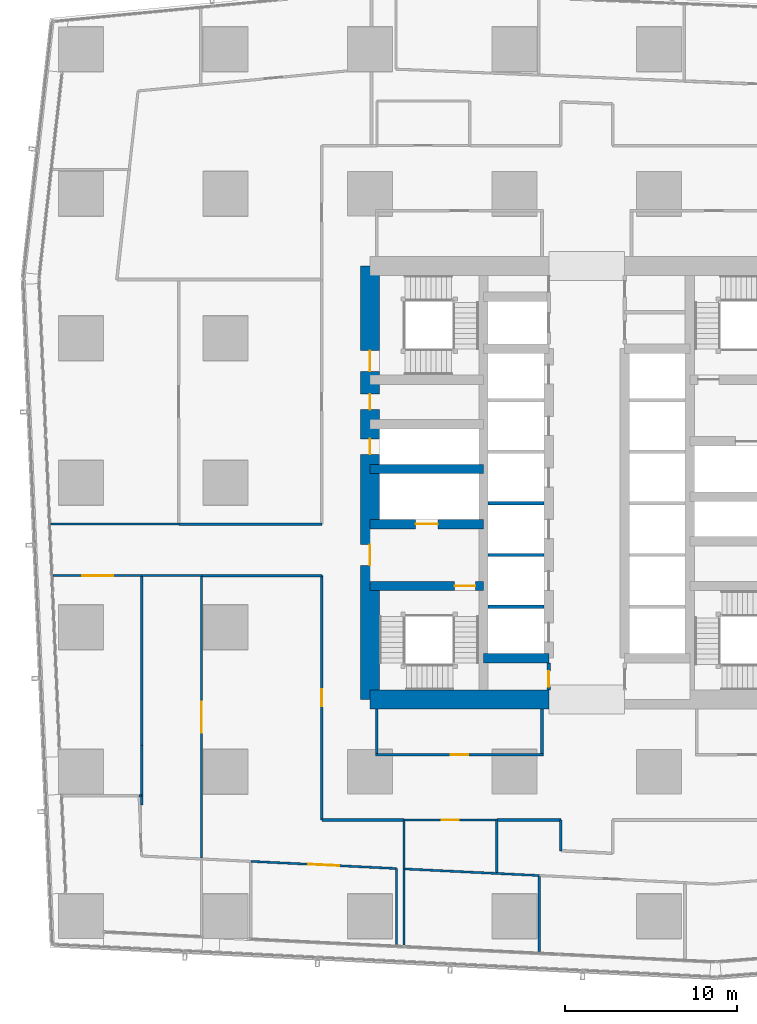
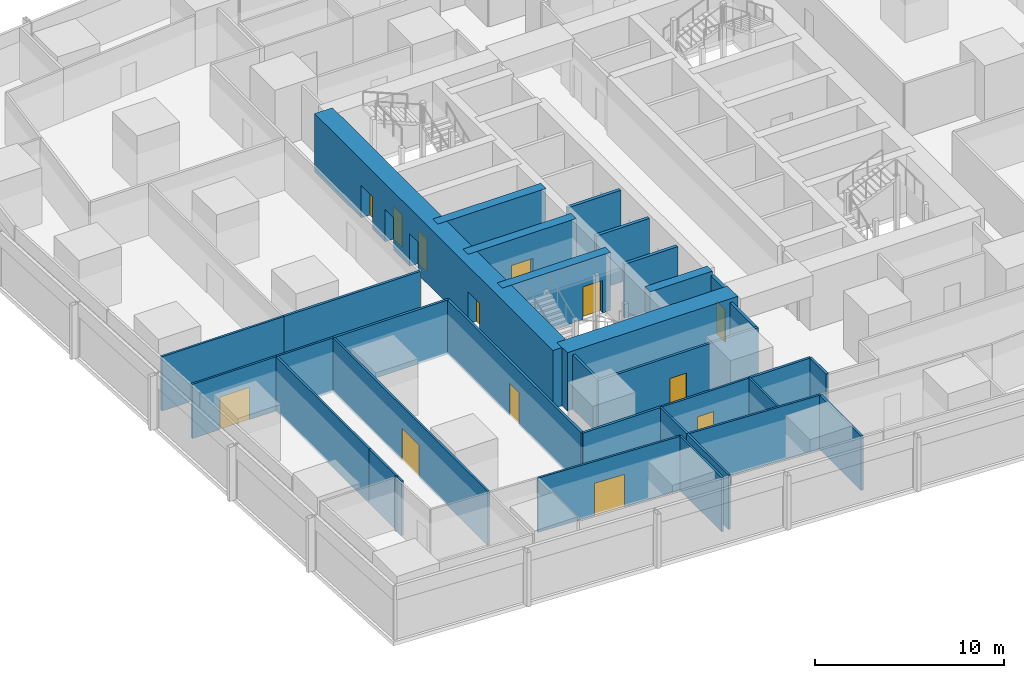
# One storey, part 34 of 46: 35 walls, 13 doors, 13 openings.
"""IFC4 building model written with IfcOpenShell, lengths in metres."""

from ifc_helpers import new_model, si_unit, direction, frame, frame_2d, origin, place, context, subcontext, project, spatial, rectangle, extrude, material, layer, layer_set, type_object, element, fill, save


model = new_model("IFC4")

# Units and contexts
model_context = context("Model", 3, precision=1e-05, world=origin(), true_north=direction((0.0, 1.0)))
body_context = subcontext(model_context, "Body", "Model", "MODEL_VIEW")
ifc_project = project(units=[si_unit("LENGTHUNIT", "METRE"), si_unit("AREAUNIT", "SQUARE_METRE"), si_unit("VOLUMEUNIT", "CUBIC_METRE"), si_unit("PLANEANGLEUNIT", "RADIAN"), si_unit("MASSUNIT", "GRAM", prefix="KILO")], contexts=[model_context])

# Site, building, storey
site_placement = place(None, origin())
site = spatial("IfcSite", under=ifc_project, at=site_placement, CompositionType="ELEMENT")
building_placement = place(site_placement, origin())
building = spatial("IfcBuilding", under=site, at=building_placement, Name="Rekha Terrace Tower", CompositionType="ELEMENT")
storey_placement = place(building_placement, frame((0.0, 0.0, 29.14990234375)))
storey = spatial("IfcBuildingStorey", under=building, at=storey_placement, Name="L06", CompositionType="ELEMENT", Elevation=29.14990234375)

# Wall
ifc_material_1 = material(Name="Concrete M70", Category="concrete")
ifc_layer_1 = layer(ifc_material_1, 0.550048828125)
ifc_layer_set_1 = layer_set([ifc_layer_1], Name="Concrete M70")
wall_type_1 = type_object("IfcWallType", Name="CI1 550 core internal shear wall", PredefinedType="SHEAR", material=ifc_layer_set_1)
wall_1_placement = place(storey_placement, frame((31.800048828125, 23.39990234375, 0.0), z_axis=(0.0, 0.0, 1.0), x_axis=(1.0, 0.0, 0.0)))
element("IfcWall", 1, at=wall_1_placement, inside=storey, type_object=wall_type_1, Name="Core wall Y234W L06", PredefinedType="SHEAR", context=body_context, shape_type="SweptSolid", body=[
    extrude(rectangle(XDim=3.800048828125, YDim=0.550048828125, at=frame_2d((1.89990234375, 0.0))), origin(), (0.0, 0.0, 1.0), 3.75),
])

# Wall, opening, door
wall_2_placement = place(storey_placement, frame((25.199951171875, 27.60009765625, 0.0), z_axis=(0.0, 0.0, 1.0), x_axis=(1.0, 0.0, 0.0)))
wall_2 = element("IfcWall", 2, at=wall_2_placement, inside=storey, type_object=wall_type_1, Name="Core wall Y276W L06", PredefinedType="SHEAR", context=body_context, shape_type="SweptSolid", body=[
    extrude(rectangle(XDim=6.60009765625, YDim=0.550048828125, at=frame_2d((3.300048828125, 0.0))), origin(), (0.0, 0.0, 1.0), 3.75),
])
opening_1_placement = place(wall_2_placement, frame((4.925048828125, 0.0, 0.0)))
opening_1 = element("IfcOpeningElement", 3, at=opening_1_placement, cuts=wall_2, Name="Opening D1", PredefinedType="OPENING", context=body_context, shape_type="SweptSolid", body=[
    extrude(rectangle(XDim=1.199951171875, YDim=2.10009765625, at=frame_2d((0.60009765625, 1.050048828125))), frame((0.0, 0.284912109375, 0.0), z_axis=(0.0, -1.0, 0.0), x_axis=(1.0, 0.0, 0.0)), (0.0, 0.0, 1.0), 0.570068359375),
])
ifc_material_2 = material(Name="Steel fire door", Category="steel")
door_type_1 = type_object("IfcDoorType", Name="D1 1200x2100 stair fire door", OperationType="SINGLE_SWING_RIGHT", PredefinedType="DOOR", material=ifc_material_2)
door_1_placement = place(opening_1_placement, origin())
door_1 = element("IfcDoor", 4, at=door_1_placement, inside=storey, type_object=door_type_1, Name="Stair ST1 door L06", OperationType="SINGLE_SWING_RIGHT", OverallHeight=2.10009765625, OverallWidth=1.199951171875, PredefinedType="DOOR", context=body_context, shape_type="SweptSolid", body=[
    extrude(rectangle(XDim=1.199951171875, YDim=2.10009765625, at=frame_2d((0.60009765625, 1.050048828125))), frame((0.0, 0.02490234375, 0.0), z_axis=(0.0, -1.0, 0.0), x_axis=(1.0, 0.0, 0.0)), (0.0, 0.0, 1.0), 0.050048828125),
])
fill(opening_1, door_1)

wall_3_placement = place(storey_placement, frame((25.199951171875, 31.199951171875, 0.0), z_axis=(0.0, 0.0, 1.0), x_axis=(1.0, 0.0, 0.0)))
wall_3 = element("IfcWall", 5, at=wall_3_placement, inside=storey, type_object=wall_type_1, Name="Core wall Y312W L06", PredefinedType="SHEAR", context=body_context, shape_type="SweptSolid", body=[
    extrude(rectangle(XDim=6.60009765625, YDim=0.550048828125, at=frame_2d((3.300048828125, 0.0))), origin(), (0.0, 0.0, 1.0), 3.75),
])
opening_2_placement = place(wall_3_placement, frame((2.64990234375, 0.0, 0.0)))
opening_2 = element("IfcOpeningElement", 6, at=opening_2_placement, cuts=wall_3, Name="Opening LD2", PredefinedType="OPENING", context=body_context, shape_type="SweptSolid", body=[
    extrude(rectangle(XDim=1.300048828125, YDim=2.10009765625, at=frame_2d((0.64990234375, 1.050048828125))), frame((0.0, 0.284912109375, 0.0), z_axis=(0.0, -1.0, 0.0), x_axis=(1.0, 0.0, 0.0)), (0.0, 0.0, 1.0), 0.570068359375),
])
ifc_material_3 = material(Name="Stainless steel sliding landing door", Category="steel")
door_type_2 = type_object("IfcDoorType", Name="LD2 1300x2100 fire lift landing door", OperationType="SLIDING_TO_LEFT", PredefinedType="USERDEFINED", material=ifc_material_3)
door_2_placement = place(opening_2_placement, origin())
door_2 = element("IfcDoor", 7, at=door_2_placement, inside=storey, type_object=door_type_2, Name="Lift FL1 landing door L06", ObjectType="LIFT LANDING DOOR", OperationType="SLIDING_TO_LEFT", OverallHeight=2.10009765625, OverallWidth=1.300048828125, PredefinedType="USERDEFINED", context=body_context, shape_type="SweptSolid", body=[
    extrude(rectangle(XDim=1.300048828125, YDim=2.10009765625, at=frame_2d((0.64990234375, 1.050048828125))), frame((0.0, 0.02490234375, 0.0), z_axis=(0.0, -1.0, 0.0), x_axis=(1.0, 0.0, 0.0)), (0.0, 0.0, 1.0), 0.050048828125),
])
fill(opening_2, door_2)

# Walls
wall_4_placement = place(storey_placement, frame((25.199951171875, 34.39990234375, 0.0), z_axis=(0.0, 0.0, 1.0), x_axis=(1.0, 0.0, 0.0)))
element("IfcWall", 8, at=wall_4_placement, inside=storey, type_object=wall_type_1, Name="Core wall Y344W L06", PredefinedType="SHEAR", context=body_context, shape_type="SweptSolid", body=[
    extrude(rectangle(XDim=6.60009765625, YDim=0.550048828125, at=frame_2d((3.300048828125, 0.0))), origin(), (0.0, 0.0, 1.0), 3.75),
])
ifc_layer_2 = layer(ifc_material_1, 1.10009765625)
ifc_layer_set_2 = layer_set([ifc_layer_2], Name="Concrete M70")
wall_type_2 = type_object("IfcWallType", Name="SW1 1100 core outer shear wall", PredefinedType="SHEAR", material=ifc_layer_set_2)
wall_5_placement = place(storey_placement, frame((25.199951171875, 21.0, 0.0), z_axis=(0.0, 0.0, 1.0), x_axis=(1.0, 0.0, 0.0)))
element("IfcWall", 9, at=wall_5_placement, inside=storey, type_object=wall_type_2, Name="Core wall S1 L06", PredefinedType="SHEAR", context=body_context, shape_type="SweptSolid", body=[
    extrude(rectangle(XDim=10.400146484375, YDim=1.10009765625, at=frame_2d((5.2001953125, 0.0))), origin(), (0.0, 0.0, 1.0), 3.75),
])

# Wall, openings, doors
wall_6_placement = place(storey_placement, frame((25.199951171875, 21.0, 0.0), z_axis=(0.0, 0.0, 1.0), x_axis=(0.0, 1.0, 0.0)))
wall_6 = element("IfcWall", 10, at=wall_6_placement, inside=storey, type_object=wall_type_2, Name="Core wall W L06", PredefinedType="SHEAR", context=body_context, shape_type="SweptSolid", body=[
    extrude(rectangle(XDim=25.199951171875, YDim=1.10009765625, at=frame_2d((12.60009765625, 0.0))), origin(), (0.0, 0.0, 1.0), 3.75),
])
opening_3_placement = place(wall_6_placement, frame((7.800048828125, 0.0, 0.0)))
opening_3 = element("IfcOpeningElement", 11, at=opening_3_placement, cuts=wall_6, Name="Opening D2", PredefinedType="OPENING", context=body_context, shape_type="SweptSolid", body=[
    extrude(rectangle(XDim=1.199951171875, YDim=2.10009765625, at=frame_2d((0.60009765625, 1.050048828125))), frame((0.0, 0.56005859375, 0.0), z_axis=(0.0, -1.0, 0.0), x_axis=(1.0, 0.0, 0.0)), (0.0, 0.0, 1.0), 1.1201171875),
])
opening_4_placement = place(wall_6_placement, frame((14.25, 0.0, 0.0)))
opening_4 = element("IfcOpeningElement", 12, at=opening_4_placement, cuts=wall_6, Name="Opening D5", PredefinedType="OPENING", context=body_context, shape_type="SweptSolid", body=[
    extrude(rectangle(XDim=0.89990234375, YDim=2.10009765625, at=frame_2d((0.449951171875, 1.050048828125))), frame((0.0, 0.56005859375, 0.0), z_axis=(0.0, -1.0, 0.0), x_axis=(1.0, 0.0, 0.0)), (0.0, 0.0, 1.0), 1.1201171875),
])
opening_5_placement = place(wall_6_placement, frame((16.85009765625, 0.0, 0.0)))
opening_5 = element("IfcOpeningElement", 13, at=opening_5_placement, cuts=wall_6, Name="Opening D5", PredefinedType="OPENING", context=body_context, shape_type="SweptSolid", body=[
    extrude(rectangle(XDim=0.89990234375, YDim=2.10009765625, at=frame_2d((0.449951171875, 1.050048828125))), frame((0.0, 0.56005859375, 0.0), z_axis=(0.0, -1.0, 0.0), x_axis=(1.0, 0.0, 0.0)), (0.0, 0.0, 1.0), 1.1201171875),
])
opening_6_placement = place(wall_6_placement, frame((19.074951171875, 0.0, 0.0)))
opening_6 = element("IfcOpeningElement", 14, at=opening_6_placement, cuts=wall_6, Name="Opening D1", PredefinedType="OPENING", context=body_context, shape_type="SweptSolid", body=[
    extrude(rectangle(XDim=1.199951171875, YDim=2.10009765625, at=frame_2d((0.60009765625, 1.050048828125))), frame((0.0, 0.56005859375, 0.0), z_axis=(0.0, -1.0, 0.0), x_axis=(1.0, 0.0, 0.0)), (0.0, 0.0, 1.0), 1.1201171875),
])
door_3_placement = place(opening_6_placement, origin())
door_3 = element("IfcDoor", 15, at=door_3_placement, inside=storey, type_object=door_type_1, Name="Stair ST4 door L06", OperationType="SINGLE_SWING_RIGHT", OverallHeight=2.10009765625, OverallWidth=1.199951171875, PredefinedType="DOOR", context=body_context, shape_type="SweptSolid", body=[
    extrude(rectangle(XDim=1.199951171875, YDim=2.10009765625, at=frame_2d((0.60009765625, 1.050048828125))), frame((0.0, 0.02490234375, 0.0), z_axis=(0.0, -1.0, 0.0), x_axis=(1.0, 0.0, 0.0)), (0.0, 0.0, 1.0), 0.050048828125),
])
fill(opening_6, door_3)
door_type_3 = type_object("IfcDoorType", Name="D2 1200x2100 firefighting lobby door", OperationType="SINGLE_SWING_LEFT", PredefinedType="DOOR", material=ifc_material_2)
door_4_placement = place(opening_3_placement, origin())
door_4 = element("IfcDoor", 16, at=door_4_placement, inside=storey, type_object=door_type_3, Name="Door flb1 L06", OperationType="SINGLE_SWING_LEFT", OverallHeight=2.10009765625, OverallWidth=1.199951171875, PredefinedType="DOOR", context=body_context, shape_type="SweptSolid", body=[
    extrude(rectangle(XDim=1.199951171875, YDim=2.10009765625, at=frame_2d((0.60009765625, 1.050048828125))), frame((0.0, 0.02490234375, 0.0), z_axis=(0.0, -1.0, 0.0), x_axis=(1.0, 0.0, 0.0)), (0.0, 0.0, 1.0), 0.050048828125),
])
fill(opening_3, door_4)
door_type_4 = type_object("IfcDoorType", Name="D5 900x2100 riser access door", OperationType="SINGLE_SWING_LEFT", PredefinedType="DOOR", material=ifc_material_2)
door_5_placement = place(opening_4_placement, origin())
door_5 = element("IfcDoor", 17, at=door_5_placement, inside=storey, type_object=door_type_4, Name="Door rs1 L06", OperationType="SINGLE_SWING_LEFT", OverallHeight=2.10009765625, OverallWidth=0.89990234375, PredefinedType="DOOR", context=body_context, shape_type="SweptSolid", body=[
    extrude(rectangle(XDim=0.89990234375, YDim=2.10009765625, at=frame_2d((0.449951171875, 1.050048828125))), frame((0.0, 0.02490234375, 0.0), z_axis=(0.0, -1.0, 0.0), x_axis=(1.0, 0.0, 0.0)), (0.0, 0.0, 1.0), 0.050048828125),
])
fill(opening_4, door_5)
door_6_placement = place(opening_5_placement, origin())
door_6 = element("IfcDoor", 18, at=door_6_placement, inside=storey, type_object=door_type_4, Name="Door elw L06", OperationType="SINGLE_SWING_LEFT", OverallHeight=2.10009765625, OverallWidth=0.89990234375, PredefinedType="DOOR", context=body_context, shape_type="SweptSolid", body=[
    extrude(rectangle(XDim=0.89990234375, YDim=2.10009765625, at=frame_2d((0.449951171875, 1.050048828125))), frame((0.0, 0.02490234375, 0.0), z_axis=(0.0, -1.0, 0.0), x_axis=(1.0, 0.0, 0.0)), (0.0, 0.0, 1.0), 0.050048828125),
])
fill(opening_5, door_6)

# Wall, opening, door
ifc_material_4 = material(Name="Concrete block masonry, 1 hour", Category="masonry")
ifc_layer_3 = layer(ifc_material_4, 0.14990234375)
ifc_layer_set_3 = layer_set([ifc_layer_3], Name="Concrete block masonry, 1 hour")
wall_type_3 = type_object("IfcWallType", Name="WP2 150 tenancy partition", PredefinedType="PARTITIONING", material=ifc_layer_set_3)
wall_7_placement = place(storey_placement, frame((25.52490234375, 17.800048828125, 0.0), z_axis=(0.0, 0.0, 1.0), x_axis=(1.0, 0.0, 0.0)))
wall_7 = element("IfcWall", 19, at=wall_7_placement, inside=storey, type_object=wall_type_3, Name="Men's WC wall L06", PredefinedType="PARTITIONING", context=body_context, shape_type="SweptSolid", body=[
    extrude(rectangle(XDim=9.75, YDim=0.14990234375, at=frame_2d((4.875, 0.0))), origin(), (0.0, 0.0, 1.0), 3.5),
])
opening_7_placement = place(wall_7_placement, frame((4.375, 0.0, 0.0)))
opening_7 = element("IfcOpeningElement", 20, at=opening_7_placement, cuts=wall_7, Name="Opening D3", PredefinedType="OPENING", context=body_context, shape_type="SweptSolid", body=[
    extrude(rectangle(XDim=1.0, YDim=2.10009765625, at=frame_2d((0.5, 1.050048828125))), frame((0.0, 0.0849609375, 0.0), z_axis=(0.0, -1.0, 0.0), x_axis=(1.0, 0.0, 0.0)), (0.0, 0.0, 1.0), 0.169921875),
])
ifc_material_5 = material(Name="Laminated timber fire door", Category="wood")
door_type_5 = type_object("IfcDoorType", Name="D3 1000x2100 WC door", OperationType="SINGLE_SWING_LEFT", PredefinedType="DOOR", material=ifc_material_5)
door_7_placement = place(opening_7_placement, origin())
door_7 = element("IfcDoor", 21, at=door_7_placement, inside=storey, type_object=door_type_5, Name="Door men's wc L06", OperationType="SINGLE_SWING_LEFT", OverallHeight=2.10009765625, OverallWidth=1.0, PredefinedType="DOOR", context=body_context, shape_type="SweptSolid", body=[
    extrude(rectangle(XDim=1.0, YDim=2.10009765625, at=frame_2d((0.5, 1.050048828125))), frame((0.0, 0.02490234375, 0.0), z_axis=(0.0, -1.0, 0.0), x_axis=(1.0, 0.0, 0.0)), (0.0, 0.0, 1.0), 0.050048828125),
])
fill(opening_7, door_7)

# Walls
for number, where, z_axis, x_axis, name in (
    (22, (25.60009765625, 17.875, 0.0), (0.0, 0.0, 1.0), (0.0, 1.0, 0.0), "Men's WC wall L06"),
    (23, (35.199951171875, 17.875, 0.0), (0.0, 0.0, 1.0), (0.0, 1.0, 0.0), "Men's WC wall L06"),
):
    element("IfcWall", number, at=place(storey_placement, frame(where, z_axis=z_axis, x_axis=x_axis)), inside=storey, type_object=wall_type_3, Name=name, PredefinedType="PARTITIONING", context=body_context, shape_type="SweptSolid", body=[
        extrude(rectangle(XDim=2.574951171875, YDim=0.14990234375, at=frame_2d((1.28759765625, 0.0))), origin(), (0.0, 0.0, 1.0), 3.5),
    ])
wall_8_placement = place(storey_placement, frame((35.041015625, 10.70703125, 0.0), z_axis=(0.0, 0.0, 1.0), x_axis=(0.0, -1.0, 0.0)))
element("IfcWall", 24, at=wall_8_placement, inside=storey, type_object=wall_type_3, Name="Partition L06-O1", PredefinedType="PARTITIONING", context=body_context, shape_type="SweptSolid", body=[
    extrude(rectangle(XDim=4.363037109375, YDim=0.14990234375, at=frame_2d((2.181640625, 0.0))), origin(), (0.0, 0.0, 1.0), 3.5),
])
wall_9_placement = place(storey_placement, frame((32.571044921875, 14.0, 0.0), z_axis=(0.0, 0.0, 1.0), x_axis=(1.0, 0.0, 0.0)))
element("IfcWall", 25, at=wall_9_placement, inside=storey, type_object=wall_type_3, Name="Partition L06-O1", PredefinedType="PARTITIONING", context=body_context, shape_type="SweptSolid", body=[
    extrude(rectangle(XDim=3.72900390625, YDim=0.14990234375, at=frame_2d((1.864501953125, 0.0))), origin(), (0.0, 0.0, 1.0), 3.5),
])
wall_10_placement = place(storey_placement, frame((36.300048828125, 14.0, 0.0), z_axis=(0.0, 0.0, 1.0), x_axis=(0.0, -1.0, 0.0)))
element("IfcWall", 26, at=wall_10_placement, inside=storey, type_object=wall_type_3, Name="Partition L06-O1", PredefinedType="PARTITIONING", context=body_context, shape_type="SweptSolid", body=[
    extrude(rectangle(XDim=1.7900390625, YDim=0.14990234375, at=frame_2d((0.89501953125, 0.0))), origin(), (0.0, 0.0, 1.0), 3.5),
])
wall_11_placement = place(storey_placement, frame((22.39990234375, 31.199951171875, 0.0), z_axis=(0.0, 0.0, 1.0), x_axis=(-1.0, 0.0, 0.0)))
element("IfcWall", 27, at=wall_11_placement, inside=storey, type_object=wall_type_3, Name="Partition L06-O4", PredefinedType="PARTITIONING", context=body_context, shape_type="SweptSolid", body=[
    extrude(rectangle(XDim=8.309814453125, YDim=0.14990234375, at=frame_2d((4.15478515625, 0.0))), origin(), (0.0, 0.0, 1.0), 3.5),
])
wall_12_placement = place(storey_placement, frame((15.44189453125, 28.199951171875, 0.0), z_axis=(0.0, 0.0, 1.0), x_axis=(1.0, 0.0, 0.0)))
element("IfcWall", 28, at=wall_12_placement, inside=storey, type_object=wall_type_3, Name="Partition L06-O5", PredefinedType="PARTITIONING", context=body_context, shape_type="SweptSolid", body=[
    extrude(rectangle(XDim=6.9580078125, YDim=0.14990234375, at=frame_2d((3.47900390625, 0.0))), origin(), (0.0, 0.0, 1.0), 3.5),
])

# Wall, opening, door
wall_13_placement = place(storey_placement, frame((22.39990234375, 28.199951171875, 0.0), z_axis=(0.0, 0.0, 1.0), x_axis=(0.0, -1.0, 0.0)))
wall_13 = element("IfcWall", 29, at=wall_13_placement, inside=storey, type_object=wall_type_3, Name="Partition L06-O5", PredefinedType="PARTITIONING", context=body_context, shape_type="SweptSolid", body=[
    extrude(rectangle(XDim=14.199951171875, YDim=0.14990234375, at=frame_2d((7.10009765625, 0.0))), origin(), (0.0, 0.0, 1.0), 3.5),
])
opening_8_placement = place(wall_13_placement, frame((6.60009765625, 0.0, 0.0)))
opening_8 = element("IfcOpeningElement", 30, at=opening_8_placement, cuts=wall_13, Name="Opening D9", PredefinedType="OPENING", context=body_context, shape_type="SweptSolid", body=[
    extrude(rectangle(XDim=1.0, YDim=2.10009765625, at=frame_2d((0.5, 1.050048828125))), frame((0.0, 0.0849609375, 0.0), z_axis=(0.0, -1.0, 0.0), x_axis=(1.0, 0.0, 0.0)), (0.0, 0.0, 1.0), 0.169921875),
])
ifc_material_6 = material(Name="Timber fire door", Category="wood")
door_type_6 = type_object("IfcDoorType", Name="D9 1000x2100 office door", OperationType="SINGLE_SWING_LEFT", PredefinedType="DOOR", material=ifc_material_6)
door_8_placement = place(opening_8_placement, origin())
door_8 = element("IfcDoor", 31, at=door_8_placement, inside=storey, type_object=door_type_6, Name="Door open-plan office L06", OperationType="SINGLE_SWING_LEFT", OverallHeight=2.10009765625, OverallWidth=1.0, PredefinedType="DOOR", context=body_context, shape_type="SweptSolid", body=[
    extrude(rectangle(XDim=1.0, YDim=2.10009765625, at=frame_2d((0.5, 1.050048828125))), frame((0.0, 0.02490234375, 0.0), z_axis=(0.0, -1.0, 0.0), x_axis=(1.0, 0.0, 0.0)), (0.0, 0.0, 1.0), 0.050048828125),
])
fill(opening_8, door_8)

# Walls
wall_14_placement = place(storey_placement, frame((22.39990234375, 14.0, 0.0), z_axis=(0.0, 0.0, 1.0), x_axis=(1.0, 0.0, 0.0)))
element("IfcWall", 32, at=wall_14_placement, inside=storey, type_object=wall_type_3, Name="Partition L06-O5", PredefinedType="PARTITIONING", context=body_context, shape_type="SweptSolid", body=[
    extrude(rectangle(XDim=4.77001953125, YDim=0.14990234375, at=frame_2d((2.385009765625, 0.0))), origin(), (0.0, 0.0, 1.0), 3.5),
])
ifc_material_7 = material(Name="Two layers of fire-rated gypsum board each side on steel studs, acoustic quilt, 1 hour", Category="steel")
ifc_layer_4 = layer(ifc_material_7, 0.125)
ifc_layer_set_4 = layer_set([ifc_layer_4], Name="Two layers of fire-rated gypsum board each side on steel studs, acoustic quilt, 1 hour")
wall_type_4 = type_object("IfcWallType", Name="WP3 125 office partition", PredefinedType="PARTITIONING", material=ifc_layer_set_4)
wall_15_placement = place(storey_placement, frame((27.1708984375, 11.156005859375, 0.0), z_axis=(0.0, 0.0, 1.0), x_axis=(0.998799184112, -0.048991732132, 0.0)))
element("IfcWall", 33, at=wall_15_placement, inside=storey, type_object=wall_type_4, Name="Partition L06-03", PredefinedType="PARTITIONING", context=body_context, shape_type="SweptSolid", body=[
    extrude(rectangle(XDim=7.878662109375, YDim=0.125, at=frame_2d((3.939453125, 0.0))), origin(), (0.0, 0.0, 1.0), 3.5),
])
wall_16_placement = place(storey_placement, frame((27.1708984375, 6.73095703125, 0.0), z_axis=(0.0, 0.0, 1.0), x_axis=(0.0, 1.0, 0.0)))
element("IfcWall", 34, at=wall_16_placement, inside=storey, type_object=wall_type_4, Name="Partition L06-03", PredefinedType="PARTITIONING", context=body_context, shape_type="SweptSolid", body=[
    extrude(rectangle(XDim=4.425048828125, YDim=0.125, at=frame_2d((2.21240234375, 0.0))), origin(), (0.0, 0.0, 1.0), 3.5),
])

# Wall, opening, door
wall_17_placement = place(storey_placement, frame((27.1708984375, 14.0, 0.0), z_axis=(0.0, 0.0, 1.0), x_axis=(1.0, 0.0, 0.0)))
wall_17 = element("IfcWall", 35, at=wall_17_placement, inside=storey, type_object=wall_type_4, Name="Partition L06-04", PredefinedType="PARTITIONING", context=body_context, shape_type="SweptSolid", body=[
    extrude(rectangle(XDim=5.400146484375, YDim=0.125, at=frame_2d((2.7001953125, 0.0))), origin(), (0.0, 0.0, 1.0), 3.5),
])
opening_9_placement = place(wall_17_placement, frame((2.199951171875, 0.0, 0.0)))
opening_9 = element("IfcOpeningElement", 36, at=opening_9_placement, cuts=wall_17, Name="Opening D9", PredefinedType="OPENING", context=body_context, shape_type="SweptSolid", body=[
    extrude(rectangle(XDim=1.0, YDim=2.10009765625, at=frame_2d((0.5, 1.050048828125))), frame((0.0, 0.072509765625, 0.0), z_axis=(0.0, -1.0, 0.0), x_axis=(1.0, 0.0, 0.0)), (0.0, 0.0, 1.0), 0.14501953125),
])
door_9_placement = place(opening_9_placement, origin())
door_9 = element("IfcDoor", 37, at=door_9_placement, inside=storey, type_object=door_type_6, Name="Door reception L06", OperationType="SINGLE_SWING_LEFT", OverallHeight=2.10009765625, OverallWidth=1.0, PredefinedType="DOOR", context=body_context, shape_type="SweptSolid", body=[
    extrude(rectangle(XDim=1.0, YDim=2.10009765625, at=frame_2d((0.5, 1.050048828125))), frame((0.0, 0.02490234375, 0.0), z_axis=(0.0, -1.0, 0.0), x_axis=(1.0, 0.0, 0.0)), (0.0, 0.0, 1.0), 0.050048828125),
])
fill(opening_9, door_9)

# Walls
wall_18_placement = place(storey_placement, frame((32.571044921875, 14.0, 0.0), z_axis=(0.0, 0.0, 1.0), x_axis=(0.0, -1.0, 0.0)))
element("IfcWall", 38, at=wall_18_placement, inside=storey, type_object=wall_type_4, Name="Partition L06-04", PredefinedType="PARTITIONING", context=body_context, shape_type="SweptSolid", body=[
    extrude(rectangle(XDim=3.0458984375, YDim=0.125, at=frame_2d((1.52294921875, 0.0))), origin(), (0.0, 0.0, 1.0), 3.5),
])
wall_19_placement = place(storey_placement, frame((27.1708984375, 11.156005859375, 0.0), z_axis=(0.0, 0.0, 1.0), x_axis=(0.0, 1.0, 0.0)))
element("IfcWall", 39, at=wall_19_placement, inside=storey, type_object=wall_type_4, Name="Partition L06-04", PredefinedType="PARTITIONING", context=body_context, shape_type="SweptSolid", body=[
    extrude(rectangle(XDim=2.843994140625, YDim=0.125, at=frame_2d((1.421875, 0.0))), origin(), (0.0, 0.0, 1.0), 3.5),
])
wall_20_placement = place(storey_placement, frame((14.090087890625, 31.199951171875, 0.0), z_axis=(0.0, 0.0, 1.0), x_axis=(-1.0, 0.0, 0.0)))
element("IfcWall", 40, at=wall_20_placement, inside=storey, type_object=wall_type_4, Name="Partition L06-10", PredefinedType="PARTITIONING", context=body_context, shape_type="SweptSolid", body=[
    extrude(rectangle(XDim=7.455078125, YDim=0.125, at=frame_2d((3.7275390625, 0.0))), origin(), (0.0, 0.0, 1.0), 3.5),
])

# Wall, opening, door
wall_21_placement = place(storey_placement, frame((6.76708984375, 28.199951171875, 0.0), z_axis=(0.0, 0.0, 1.0), x_axis=(1.0, 0.0, 0.0)))
wall_21 = element("IfcWall", 41, at=wall_21_placement, inside=storey, type_object=wall_type_4, Name="Partition L06-11", PredefinedType="PARTITIONING", context=body_context, shape_type="SweptSolid", body=[
    extrude(rectangle(XDim=5.1669921875, YDim=0.125, at=frame_2d((2.58349609375, 0.0))), origin(), (0.0, 0.0, 1.0), 3.5),
])
opening_10_placement = place(wall_21_placement, frame((1.697998046875, 0.0, 0.0)))
opening_10 = element("IfcOpeningElement", 42, at=opening_10_placement, cuts=wall_21, Name="Opening D8", PredefinedType="OPENING", context=body_context, shape_type="SweptSolid", body=[
    extrude(rectangle(XDim=1.800048828125, YDim=2.10009765625, at=frame_2d((0.89990234375, 1.050048828125))), frame((0.0, 0.072509765625, 0.0), z_axis=(0.0, -1.0, 0.0), x_axis=(1.0, 0.0, 0.0)), (0.0, 0.0, 1.0), 0.14501953125),
])
door_type_7 = type_object("IfcDoorType", Name="D8 1800x2100 double leaf door", OperationType="DOUBLE_DOOR_SINGLE_SWING", PredefinedType="DOOR", material=ifc_material_6)
door_10_placement = place(opening_10_placement, origin())
door_10 = element("IfcDoor", 43, at=door_10_placement, inside=storey, type_object=door_type_7, Name="Door breakout lounge L06", OperationType="DOUBLE_DOOR_SINGLE_SWING", OverallHeight=2.10009765625, OverallWidth=1.800048828125, PredefinedType="DOOR", context=body_context, shape_type="SweptSolid", body=[
    extrude(rectangle(XDim=1.800048828125, YDim=2.10009765625, at=frame_2d((0.89990234375, 1.050048828125))), frame((0.0, 0.02490234375, 0.0), z_axis=(0.0, -1.0, 0.0), x_axis=(1.0, 0.0, 0.0)), (0.0, 0.0, 1.0), 0.050048828125),
])
fill(opening_10, door_10)

# Wall
wall_22_placement = place(storey_placement, frame((11.93408203125, 28.199951171875, 0.0), z_axis=(0.0, 0.0, 1.0), x_axis=(0.0, -1.0, 0.0)))
element("IfcWall", 44, at=wall_22_placement, inside=storey, type_object=wall_type_4, Name="Partition L06-11", PredefinedType="PARTITIONING", context=body_context, shape_type="SweptSolid", body=[
    extrude(rectangle(XDim=9.884033203125, YDim=0.125, at=frame_2d((4.94189453125, 0.0))), origin(), (0.0, 0.0, 1.0), 3.5),
])

# Wall, opening, door
wall_23_placement = place(storey_placement, frame((18.27392578125, 11.593017578125, 0.0), z_axis=(0.0, 0.0, 1.0), x_axis=(0.998796861193, -0.049039066774, 0.0)))
wall_23 = element("IfcWall", 45, at=wall_23_placement, inside=storey, type_object=wall_type_4, Name="Partition L06-13", PredefinedType="PARTITIONING", context=body_context, shape_type="SweptSolid", body=[
    extrude(rectangle(XDim=8.4833984375, YDim=0.125, at=frame_2d((4.24169921875, 0.0))), origin(), (0.0, 0.0, 1.0), 3.5),
])
opening_11_placement = place(wall_23_placement, frame((3.342041015625, 0.0, 0.0)))
opening_11 = element("IfcOpeningElement", 46, at=opening_11_placement, cuts=wall_23, Name="Opening D8", PredefinedType="OPENING", context=body_context, shape_type="SweptSolid", body=[
    extrude(rectangle(XDim=1.800048828125, YDim=2.10009765625, at=frame_2d((0.89990234375, 1.050048828125))), frame((0.0, 0.072509765625, 0.0), z_axis=(0.0, -1.0, 0.0), x_axis=(1.0, 0.0, 0.0)), (0.0, 0.0, 1.0), 0.14501953125),
])
door_11_placement = place(opening_11_placement, origin())
door_11 = element("IfcDoor", 47, at=door_11_placement, inside=storey, type_object=door_type_7, Name="Door meeting room L06", OperationType="DOUBLE_DOOR_SINGLE_SWING", OverallHeight=2.10009765625, OverallWidth=1.800048828125, PredefinedType="DOOR", context=body_context, shape_type="SweptSolid", body=[
    extrude(rectangle(XDim=1.800048828125, YDim=2.10009765625, at=frame_2d((0.89990234375, 1.050048828125))), frame((0.0, 0.02490234375, 0.0), z_axis=(0.0, -1.0, 0.0), x_axis=(1.0, 0.0, 0.0)), (0.0, 0.0, 1.0), 0.050048828125),
])
fill(opening_11, door_11)

# Walls
wall_24_placement = place(storey_placement, frame((26.7470703125, 11.177001953125, 0.0), z_axis=(0.0, 0.0, 1.0), x_axis=(0.0, -1.0, 0.0)))
element("IfcWall", 48, at=wall_24_placement, inside=storey, type_object=wall_type_4, Name="Partition L06-13", PredefinedType="PARTITIONING", context=body_context, shape_type="SweptSolid", body=[
    extrude(rectangle(XDim=4.455078125, YDim=0.125, at=frame_2d((2.2275390625, 0.0))), origin(), (0.0, 0.0, 1.0), 3.5),
])
wall_25_placement = place(storey_placement, frame((11.93408203125, 18.31591796875, 0.0), z_axis=(0.0, 0.0, 1.0), x_axis=(0.0, -1.0, 0.0)))
element("IfcWall", 49, at=wall_25_placement, inside=storey, type_object=wall_type_4, Name="Partition L06-14", PredefinedType="PARTITIONING", context=body_context, shape_type="SweptSolid", body=[
    extrude(rectangle(XDim=2.872802734375, YDim=0.125, at=frame_2d((1.4365234375, 0.0))), origin(), (0.0, 0.0, 1.0), 3.5),
])
wall_26_placement = place(storey_placement, frame((11.93408203125, 15.407958984375, 0.0), z_axis=(0.0, 0.0, 1.0), x_axis=(-1.0, 0.0, 0.0)))
element("IfcWall", 50, at=wall_26_placement, inside=storey, type_object=wall_type_4, Name="Partition L06-14", PredefinedType="PARTITIONING", context=body_context, shape_type="SweptSolid", body=[
    extrude(rectangle(XDim=0.155029296875, YDim=0.125, at=frame_2d((0.07763671875, 0.0))), origin(), (0.0, 0.0, 1.0), 3.5),
])
wall_27_placement = place(storey_placement, frame((11.93408203125, 28.199951171875, 0.0), z_axis=(0.0, 0.0, 1.0), x_axis=(1.0, 0.0, 0.0)))
element("IfcWall", 51, at=wall_27_placement, inside=storey, type_object=wall_type_4, Name="Partition L06-15", PredefinedType="PARTITIONING", context=body_context, shape_type="SweptSolid", body=[
    extrude(rectangle(XDim=3.5078125, YDim=0.125, at=frame_2d((1.75390625, 0.0))), origin(), (0.0, 0.0, 1.0), 3.5),
])

# Wall, opening, door
wall_28_placement = place(storey_placement, frame((15.407958984375, 28.136962890625, 0.0), z_axis=(0.0, 0.0, 1.0), x_axis=(0.0, -1.0, 0.0)))
wall_28 = element("IfcWall", 52, at=wall_28_placement, inside=storey, type_object=wall_type_4, Name="Partition L06-15", PredefinedType="PARTITIONING", context=body_context, shape_type="SweptSolid", body=[
    extrude(rectangle(XDim=16.341064453125, YDim=0.125, at=frame_2d((8.17041015625, 0.0))), origin(), (0.0, 0.0, 1.0), 3.5),
])
opening_12_placement = place(wall_28_placement, frame((7.27099609375, 0.0, 0.0)))
opening_12 = element("IfcOpeningElement", 53, at=opening_12_placement, cuts=wall_28, Name="Opening D8", PredefinedType="OPENING", context=body_context, shape_type="SweptSolid", body=[
    extrude(rectangle(XDim=1.800048828125, YDim=2.10009765625, at=frame_2d((0.89990234375, 1.050048828125))), frame((0.0, 0.072509765625, 0.0), z_axis=(0.0, -1.0, 0.0), x_axis=(1.0, 0.0, 0.0)), (0.0, 0.0, 1.0), 0.14501953125),
])
door_12_placement = place(opening_12_placement, origin())
door_12 = element("IfcDoor", 54, at=door_12_placement, inside=storey, type_object=door_type_7, Name="Door print room L06", OperationType="DOUBLE_DOOR_SINGLE_SWING", OverallHeight=2.10009765625, OverallWidth=1.800048828125, PredefinedType="DOOR", context=body_context, shape_type="SweptSolid", body=[
    extrude(rectangle(XDim=1.800048828125, YDim=2.10009765625, at=frame_2d((0.89990234375, 1.050048828125))), frame((0.0, 0.02490234375, 0.0), z_axis=(0.0, -1.0, 0.0), x_axis=(1.0, 0.0, 0.0)), (0.0, 0.0, 1.0), 0.050048828125),
])
fill(opening_12, door_12)

# Walls
wall_29_placement = place(storey_placement, frame((11.93408203125, 14.875, 0.0), z_axis=(0.0, 0.0, 1.0), x_axis=(0.0, 1.0, 0.0)))
element("IfcWall", 55, at=wall_29_placement, inside=storey, type_object=wall_type_4, Name="Partition L06-15", PredefinedType="PARTITIONING", context=body_context, shape_type="SweptSolid", body=[
    extrude(rectangle(XDim=0.568115234375, YDim=0.125, at=frame_2d((0.2841796875, 0.0))), origin(), (0.0, 0.0, 1.0), 3.5),
])
ifc_material_8 = material(Name="Solid concrete block masonry, 2 hour", Category="masonry")
ifc_layer_5 = layer(ifc_material_8, 0.199951171875)
ifc_layer_set_5 = layer_set([ifc_layer_5], Name="Solid concrete block masonry, 2 hour")
wall_type_5 = type_object("IfcWallType", Name="WS1 200 stair and shaft enclosure", PredefinedType="PARTITIONING", material=ifc_layer_set_5)
for number, where, z_axis, x_axis, name in (
    (56, (32.074951171875, 26.39990234375, 0.0), (0.0, 0.0, 1.0), (1.0, 0.0, 0.0), "Lift shaft divider L06"),
    (57, (32.074951171875, 29.39990234375, 0.0), (0.0, 0.0, 1.0), (1.0, 0.0, 0.0), "Lift shaft divider L06"),
    (58, (32.074951171875, 32.39990234375, 0.0), (0.0, 0.0, 1.0), (1.0, 0.0, 0.0), "Lift shaft divider L06"),
):
    element("IfcWall", number, at=place(storey_placement, frame(where, z_axis=z_axis, x_axis=x_axis)), inside=storey, type_object=wall_type_5, Name=name, PredefinedType="PARTITIONING", context=body_context, shape_type="SweptSolid", body=[
        extrude(rectangle(XDim=3.25, YDim=0.199951171875, at=frame_2d((1.625, 0.0))), origin(), (0.0, 0.0, 1.0), 3.5),
    ])

# Wall, opening, door
wall_30_placement = place(storey_placement, frame((35.60009765625, 21.550048828125, 0.0), z_axis=(0.0, 0.0, 1.0), x_axis=(0.0, 1.0, 0.0)))
wall_30 = element("IfcWall", 59, at=wall_30_placement, inside=storey, type_object=wall_type_5, Name="Core partition west L06", PredefinedType="PARTITIONING", context=body_context, shape_type="SweptSolid", body=[
    extrude(rectangle(XDim=1.574951171875, YDim=0.199951171875, at=frame_2d((0.78759765625, 0.0))), origin(), (0.0, 0.0, 1.0), 3.5),
])
opening_13_placement = place(wall_30_placement, frame((0.199951171875, 0.0, 0.0)))
opening_13 = element("IfcOpeningElement", 60, at=opening_13_placement, cuts=wall_30, Name="Opening D5", PredefinedType="OPENING", context=body_context, shape_type="SweptSolid", body=[
    extrude(rectangle(XDim=0.89990234375, YDim=2.10009765625, at=frame_2d((0.449951171875, 1.050048828125))), frame((0.0, 0.10986328125, 0.0), z_axis=(0.0, -1.0, 0.0), x_axis=(1.0, 0.0, 0.0)), (0.0, 0.0, 1.0), 0.219970703125),
])
door_13_placement = place(opening_13_placement, origin())
door_13 = element("IfcDoor", 61, at=door_13_placement, inside=storey, type_object=door_type_4, Name="Door cleaner's store L06", OperationType="SINGLE_SWING_LEFT", OverallHeight=2.10009765625, OverallWidth=0.89990234375, PredefinedType="DOOR", context=body_context, shape_type="SweptSolid", body=[
    extrude(rectangle(XDim=0.89990234375, YDim=2.10009765625, at=frame_2d((0.449951171875, 1.050048828125))), frame((0.0, 0.02490234375, 0.0), z_axis=(0.0, -1.0, 0.0), x_axis=(1.0, 0.0, 0.0)), (0.0, 0.0, 1.0), 0.050048828125),
])
fill(opening_13, door_13)

save(model, "model.ifc")
